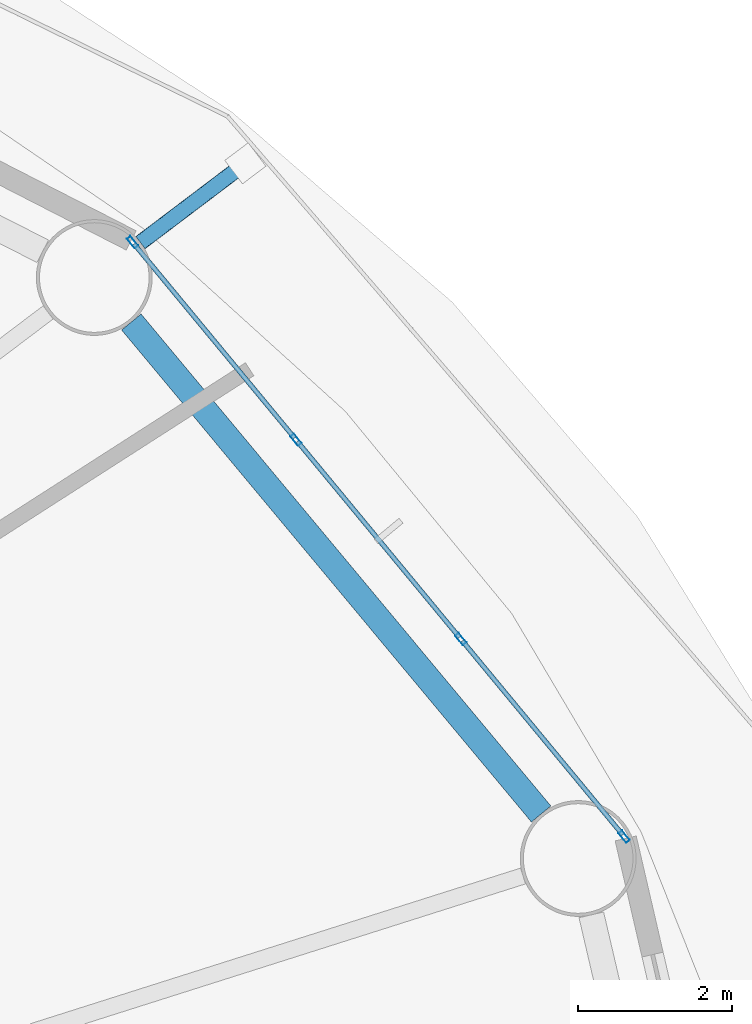
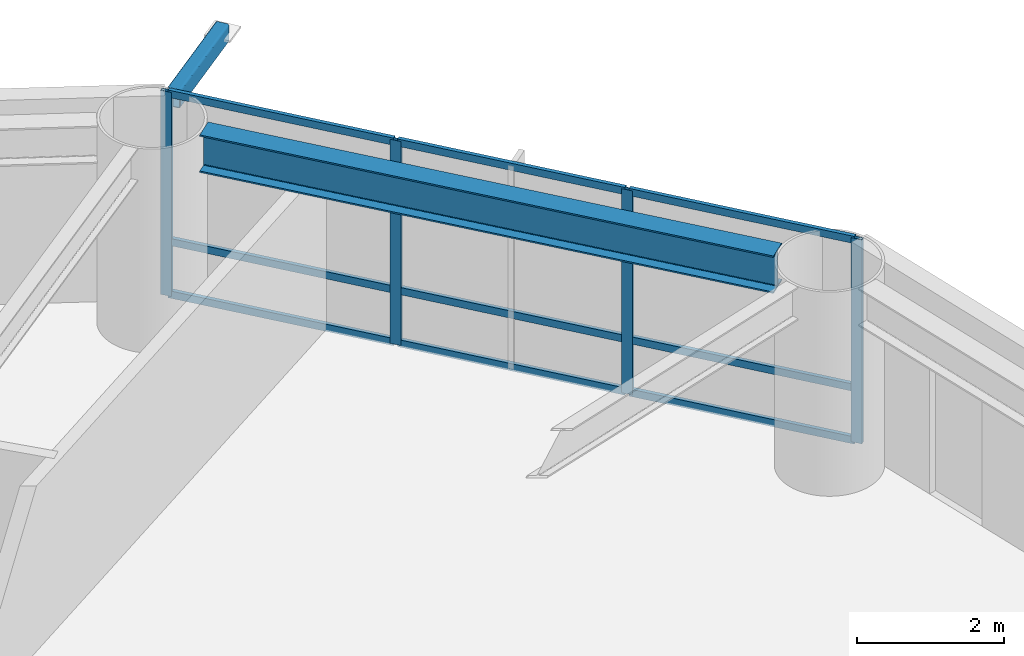
# One storey, part 14 of 26: 14 members, 1 beam, 1 element without a shape of its own.
"""IFC4 building model written with IfcOpenShell, lengths in metres."""

from ifc_helpers import new_model, si_unit, direction, frame, origin, origin_2d, place, context, subcontext, project, spatial, hollow_rectangle, i_section, extrude, material, layer, layer_set, material_profile, profile_set, type_object, element, aggregate, save


model = new_model("IFC4")

# Units and contexts
model_context = context("Model", 3, precision=1e-05, world=origin(), true_north=direction((0.0, 1.0)))
body_context = subcontext(model_context, "Body", "Model", "MODEL_VIEW")
ifc_project = project(units=[si_unit("LENGTHUNIT", "METRE"), si_unit("AREAUNIT", "SQUARE_METRE"), si_unit("VOLUMEUNIT", "CUBIC_METRE"), si_unit("PLANEANGLEUNIT", "RADIAN"), si_unit("MASSUNIT", "GRAM", prefix="KILO")], contexts=[model_context])

# Site, building, storey
site_placement = place(None, origin())
site = spatial("IfcSite", under=ifc_project, at=site_placement, CompositionType="ELEMENT")
building_placement = place(site_placement, origin())
building = spatial("IfcBuilding", under=site, at=building_placement, Name="Sarneth Arch Tower", CompositionType="ELEMENT")
storey_placement = place(building_placement, frame((0.0, 0.0, 35.39990234375)))
storey = spatial("IfcBuildingStorey", under=building, at=storey_placement, Name="L07", CompositionType="ELEMENT", Elevation=35.39990234375)

# Beam
ifc_material_1 = material(Name="Steel S355", Category="steel")
ifc_material_profile_1 = material_profile(ifc_material_1, i_section(OverallWidth=0.326904296875, OverallDepth=0.6220703125, WebThickness=0.015380859375, FlangeThickness=0.0244140625, FilletRadius=0.01904296875, at=origin_2d()), Name="W610x195")
ifc_profile_set_1 = profile_set([ifc_material_profile_1], Name="Steel S355")
beam_type = type_object("IfcBeamType", Name="BM-SPAN-610A", PredefinedType="SPANDREL", material=ifc_profile_set_1)
beam_placement = place(storey_placement, frame((75.485595703125, 51.45458984375, 3.069091796875), z_axis=(-0.639981736251, 0.768390120489, 0.0), x_axis=(-0.768390120489, -0.639981736251, 0.0)))
element("IfcBeam", 1, at=beam_placement, inside=storey, type_object=beam_type, Name="L07 Perimeter spandrel beam 02", PredefinedType="SPANDREL", context=body_context, shape_type="SweptSolid", body=[
    extrude(i_section(OverallWidth=0.326904296875, OverallDepth=0.6220703125, WebThickness=0.015380859375, FlangeThickness=0.0244140625, FilletRadius=0.01904296875, at=origin_2d()), origin(), (0.0, 0.0, 1.0), 8.29541015625),
])

# Curtain wall, members
ifc_material_2 = material(Name="Anodised aluminium Type AA25 and solar-control low-e laminated IGU", Category="aluminium")
ifc_layer = layer(ifc_material_2, 0.159912109375)
ifc_layer_set = layer_set([ifc_layer], Name="Anodised aluminium Type AA25 and solar-control low-e laminated IGU")
curtain_wall_type = type_object("IfcCurtainWallType", Name="CW-HOTEL-LOW", PredefinedType="NOTDEFINED", material=ifc_layer_set)
curtain_wall_placement = place(storey_placement, origin())
curtain_wall = element("IfcCurtainWall", 2, at=curtain_wall_placement, inside=storey, type_object=curtain_wall_type, Name="L07 Unitised curtain wall facet 02", PredefinedType="NOTDEFINED")
ifc_material_3 = material(Name="Anodised Aluminium 6063-T6", Category="aluminium")
ifc_material_profile_2 = material_profile(ifc_material_3, hollow_rectangle(XDim=0.06005859375, YDim=0.159912109375, WallThickness=0.00390625, at=origin_2d()), Name="AL-MULL-160x60x4")
ifc_profile_set_2 = profile_set([ifc_material_profile_2], Name="Anodised Aluminium 6063-T6")
member_type_1 = type_object("IfcMemberType", Name="CW-MULLION", PredefinedType="MULLION", material=ifc_profile_set_2)
member_1_placement = place(storey_placement, frame((76.561767578125, 51.16162109375, 0.0), z_axis=(0.0, 0.0, 1.0), x_axis=(-0.770622960278, -0.637291340827, 0.0)))
member_1 = element("IfcMember", 3, at=member_1_placement, type_object=member_type_1, Name="CW-SYS-3 mullion 1", PredefinedType="MULLION", context=body_context, shape_type="SweptSolid", body=[
    extrude(hollow_rectangle(XDim=0.06005859375, YDim=0.159912109375, WallThickness=0.00390625, at=origin_2d()), origin(), (0.0, 0.0, 1.0), 3.380126953125),
])
member_2_placement = place(storey_placement, frame((74.4453125, 53.720947265625, 0.0), z_axis=(0.0, 0.0, 1.0), x_axis=(-0.770622960278, -0.637291340827, 0.0)))
member_2 = element("IfcMember", 4, at=member_2_placement, type_object=member_type_1, Name="CW-SYS-3 mullion 2", PredefinedType="MULLION", context=body_context, shape_type="SweptSolid", body=[
    extrude(hollow_rectangle(XDim=0.06005859375, YDim=0.159912109375, WallThickness=0.00390625, at=origin_2d()), origin(), (0.0, 0.0, 1.0), 3.380126953125),
])
member_3_placement = place(storey_placement, frame((72.309814453125, 56.30322265625, 0.0), z_axis=(0.0, 0.0, 1.0), x_axis=(-0.770622960278, -0.637291340827, 0.0)))
member_3 = element("IfcMember", 5, at=member_3_placement, type_object=member_type_1, Name="CW-SYS-3 mullion 3", PredefinedType="MULLION", context=body_context, shape_type="SweptSolid", body=[
    extrude(hollow_rectangle(XDim=0.06005859375, YDim=0.159912109375, WallThickness=0.00390625, at=origin_2d()), origin(), (0.0, 0.0, 1.0), 3.380126953125),
])
member_4_placement = place(storey_placement, frame((70.193359375, 58.862548828125, 0.0), z_axis=(0.0, 0.0, 1.0), x_axis=(-0.770622960278, -0.637291340827, 0.0)))
member_4 = element("IfcMember", 6, at=member_4_placement, type_object=member_type_1, Name="CW-SYS-3 mullion 4", PredefinedType="MULLION", context=body_context, shape_type="SweptSolid", body=[
    extrude(hollow_rectangle(XDim=0.06005859375, YDim=0.159912109375, WallThickness=0.00390625, at=origin_2d()), origin(), (0.0, 0.0, 1.0), 3.380126953125),
])
ifc_material_4 = material(Name="Anodised Aluminium 6063-T6", Category="aluminium")
ifc_material_profile_3 = material_profile(ifc_material_4, hollow_rectangle(XDim=0.06005859375, YDim=0.1201171875, WallThickness=0.00390625, at=origin_2d()), Name="AL-TRAN-120x60x4")
ifc_profile_set_3 = profile_set([ifc_material_profile_3], Name="Anodised Aluminium 6063-T6")
member_type_2 = type_object("IfcMemberType", Name="CW-TRANSOM", PredefinedType="USERDEFINED", material=ifc_profile_set_3)
member_5_placement = place(storey_placement, frame((76.542724609375, 51.184814453125, 0.030029296875), z_axis=(-0.63733019572, 0.77059082633, 0.0), x_axis=(-0.77059082633, -0.63733019572, 0.0)))
member_5 = element("IfcMember", 7, at=member_5_placement, type_object=member_type_2, Name="CW-SYS-3 transom 1.1", ObjectType="TRANSOM", PredefinedType="USERDEFINED", context=body_context, shape_type="SweptSolid", body=[
    extrude(hollow_rectangle(XDim=0.06005859375, YDim=0.1201171875, WallThickness=0.00390625, at=origin_2d()), origin(), (0.0, 0.0, 1.0), 3.260986328125),
])
member_6_placement = place(storey_placement, frame((76.542724609375, 51.184814453125, 0.900146484375), z_axis=(-0.63733019572, 0.77059082633, 0.0), x_axis=(-0.77059082633, -0.63733019572, 0.0)))
member_6 = element("IfcMember", 8, at=member_6_placement, type_object=member_type_2, Name="CW-SYS-3 transom 1.2", ObjectType="TRANSOM", PredefinedType="USERDEFINED", context=body_context, shape_type="SweptSolid", body=[
    extrude(hollow_rectangle(XDim=0.06005859375, YDim=0.1201171875, WallThickness=0.00390625, at=origin_2d()), origin(), (0.0, 0.0, 1.0), 3.260986328125),
])
member_7_placement = place(storey_placement, frame((76.542724609375, 51.184814453125, 3.35009765625), z_axis=(-0.63733019572, 0.77059082633, 0.0), x_axis=(-0.77059082633, -0.63733019572, 0.0)))
member_7 = element("IfcMember", 9, at=member_7_placement, type_object=member_type_2, Name="CW-SYS-3 transom 1.3", ObjectType="TRANSOM", PredefinedType="USERDEFINED", context=body_context, shape_type="SweptSolid", body=[
    extrude(hollow_rectangle(XDim=0.06005859375, YDim=0.1201171875, WallThickness=0.00390625, at=origin_2d()), origin(), (0.0, 0.0, 1.0), 3.260986328125),
])
member_8_placement = place(storey_placement, frame((74.42626953125, 53.743896484375, 0.030029296875), z_axis=(-0.637268595771, 0.770641769465, 0.0), x_axis=(-0.770641769465, -0.637268595771, 0.0)))
member_8 = element("IfcMember", 10, at=member_8_placement, type_object=member_type_2, Name="CW-SYS-3 transom 2.1", ObjectType="TRANSOM", PredefinedType="USERDEFINED", context=body_context, shape_type="SweptSolid", body=[
    extrude(hollow_rectangle(XDim=0.06005859375, YDim=0.1201171875, WallThickness=0.00390625, at=origin_2d()), origin(), (0.0, 0.0, 1.0), 3.291259765625),
])
member_9_placement = place(storey_placement, frame((74.42626953125, 53.743896484375, 0.900146484375), z_axis=(-0.637268595771, 0.770641769465, 0.0), x_axis=(-0.770641769465, -0.637268595771, 0.0)))
member_9 = element("IfcMember", 11, at=member_9_placement, type_object=member_type_2, Name="CW-SYS-3 transom 2.2", ObjectType="TRANSOM", PredefinedType="USERDEFINED", context=body_context, shape_type="SweptSolid", body=[
    extrude(hollow_rectangle(XDim=0.06005859375, YDim=0.1201171875, WallThickness=0.00390625, at=origin_2d()), origin(), (0.0, 0.0, 1.0), 3.291259765625),
])
member_10_placement = place(storey_placement, frame((74.42626953125, 53.743896484375, 3.35009765625), z_axis=(-0.637268595771, 0.770641769465, 0.0), x_axis=(-0.770641769465, -0.637268595771, 0.0)))
member_10 = element("IfcMember", 12, at=member_10_placement, type_object=member_type_2, Name="CW-SYS-3 transom 2.3", ObjectType="TRANSOM", PredefinedType="USERDEFINED", context=body_context, shape_type="SweptSolid", body=[
    extrude(hollow_rectangle(XDim=0.06005859375, YDim=0.1201171875, WallThickness=0.00390625, at=origin_2d()), origin(), (0.0, 0.0, 1.0), 3.291259765625),
])
member_11_placement = place(storey_placement, frame((72.29052734375, 56.326416015625, 0.030029296875), z_axis=(-0.637285736625, 0.770627594817, 0.0), x_axis=(-0.770627594817, -0.637285736625, 0.0)))
member_11 = element("IfcMember", 13, at=member_11_placement, type_object=member_type_2, Name="CW-SYS-3 transom 3.1", ObjectType="TRANSOM", PredefinedType="USERDEFINED", context=body_context, shape_type="SweptSolid", body=[
    extrude(hollow_rectangle(XDim=0.06005859375, YDim=0.1201171875, WallThickness=0.00390625, at=origin_2d()), origin(), (0.0, 0.0, 1.0), 3.260986328125),
])
member_12_placement = place(storey_placement, frame((72.29052734375, 56.326416015625, 0.900146484375), z_axis=(-0.637285736625, 0.770627594817, 0.0), x_axis=(-0.770627594817, -0.637285736625, 0.0)))
member_12 = element("IfcMember", 14, at=member_12_placement, type_object=member_type_2, Name="CW-SYS-3 transom 3.2", ObjectType="TRANSOM", PredefinedType="USERDEFINED", context=body_context, shape_type="SweptSolid", body=[
    extrude(hollow_rectangle(XDim=0.06005859375, YDim=0.1201171875, WallThickness=0.00390625, at=origin_2d()), origin(), (0.0, 0.0, 1.0), 3.260986328125),
])
member_13_placement = place(storey_placement, frame((72.29052734375, 56.326416015625, 3.35009765625), z_axis=(-0.637285736625, 0.770627594817, 0.0), x_axis=(-0.770627594817, -0.637285736625, 0.0)))
member_13 = element("IfcMember", 15, at=member_13_placement, type_object=member_type_2, Name="CW-SYS-3 transom 3.3", ObjectType="TRANSOM", PredefinedType="USERDEFINED", context=body_context, shape_type="SweptSolid", body=[
    extrude(hollow_rectangle(XDim=0.06005859375, YDim=0.1201171875, WallThickness=0.00390625, at=origin_2d()), origin(), (0.0, 0.0, 1.0), 3.260986328125),
])
aggregate(curtain_wall, [member_1, member_2, member_3, member_4, member_5, member_6, member_7, member_8, member_9, member_10, member_11, member_12, member_13])

# Member
ifc_material_5 = material(Name="Steel S355", Category="steel")
ifc_material_profile_4 = material_profile(ifc_material_5, hollow_rectangle(XDim=0.199951171875, YDim=0.300048828125, WallThickness=0.012451171875, InnerFilletRadius=0.018798828125, OuterFilletRadius=0.03125, at=origin_2d()), Name="RHS300x200x12.5")
ifc_profile_set_4 = profile_set([ifc_material_profile_4], Name="Steel S355")
member_type_3 = type_object("IfcMemberType", Name="MEM-CANT-STRUT", PredefinedType="STRUT", material=ifc_profile_set_4)
member_14_placement = place(storey_placement, frame((70.294921875, 58.857177734375, 3.22021484375), z_axis=(0.79762065646, 0.603159422034, 0.0), x_axis=(-0.603159422034, 0.79762065646, 0.0)))
element("IfcMember", 16, at=member_14_placement, inside=storey, type_object=member_type_3, Name="L07 Balcony cantilever bracket 03", PredefinedType="STRUT", context=body_context, shape_type="SweptSolid", body=[
    extrude(hollow_rectangle(XDim=0.199951171875, YDim=0.300048828125, WallThickness=0.012451171875, InnerFilletRadius=0.018798828125, OuterFilletRadius=0.03125, at=origin_2d()), origin(), (0.0, 0.0, 1.0), 1.70361328125),
])

save(model, "model.ifc")
